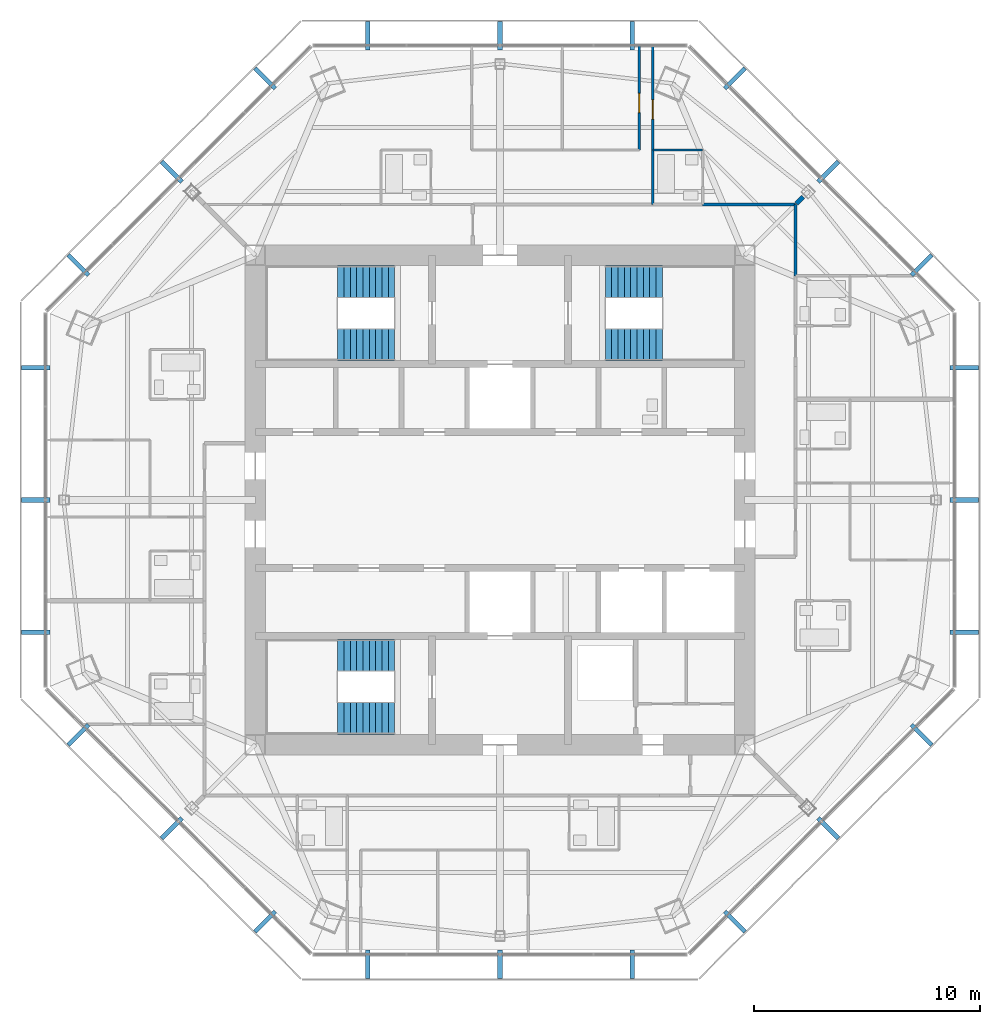
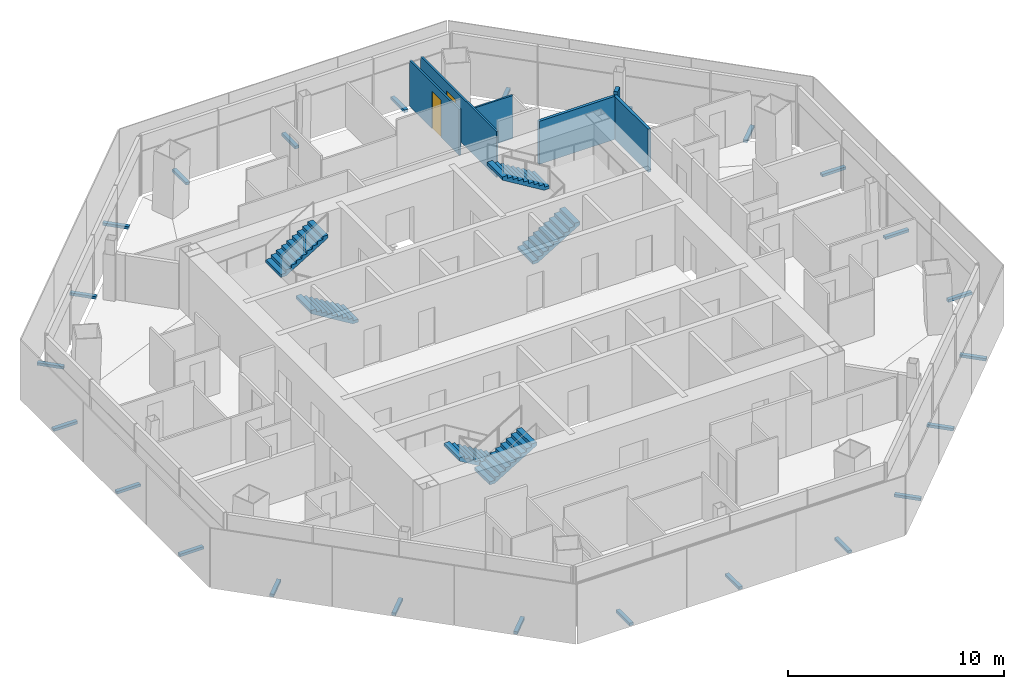
# One storey, part 13 of 15: 24 discrete accessories, 6 stair flights, 6 walls, 2 doors, 2 openings, 3 elements without a shape of their own.
"""IFC4 building model written with IfcOpenShell, lengths in metres."""

from ifc_helpers import new_model, si_unit, direction, frame, frame_2d, origin, origin_2d, place, context, subcontext, project, spatial, polyline, rectangle, outline, extrude, source, transform, mapped, material, layer, layer_set, type_object, type_shapes, element, fill, aggregate, save


model = new_model("IFC4")

# Units and contexts
model_context = context("Model", 3, precision=1e-05, world=origin(), true_north=direction((0.0, 1.0)))
body_context = subcontext(model_context, "Body", "Model", "MODEL_VIEW")
ifc_project = project(units=[si_unit("LENGTHUNIT", "METRE"), si_unit("AREAUNIT", "SQUARE_METRE"), si_unit("VOLUMEUNIT", "CUBIC_METRE"), si_unit("PLANEANGLEUNIT", "RADIAN"), si_unit("MASSUNIT", "GRAM", prefix="KILO")], contexts=[model_context])

# Site, building, storey
site_placement = place(None, origin())
site = spatial("IfcSite", under=ifc_project, at=site_placement, CompositionType="ELEMENT")
building_placement = place(site_placement, origin())
building = spatial("IfcBuilding", under=site, at=building_placement, Name="Mashrafa Tower", CompositionType="ELEMENT")
storey_placement = place(building_placement, frame((0.0, 0.0, 281.0)))
storey = spatial("IfcBuildingStorey", under=building, at=storey_placement, Name="L68", CompositionType="ELEMENT", Elevation=281.0)

# Walls
ifc_material_1 = material(Name="Gypsum board on steel studs", Category="steel")
ifc_layer_1 = layer(ifc_material_1, 0.199951171875)
ifc_layer_set_1 = layer_set([ifc_layer_1], Name="Acoustic partition 200 1 hr")
wall_type_1 = type_object("IfcWallType", Name="Acoustic partition 200 1 hr", PredefinedType="PARTITIONING", material=ifc_layer_set_1)
wall_1_placement = place(storey_placement, frame((13.382080078125, 13.382080078125, 0.0), z_axis=(0.0, 0.0, 1.0), x_axis=(-0.707106781187, -0.707106781187, 0.0)))
element("IfcWall", 1, at=wall_1_placement, inside=storey, type_object=wall_type_1, Name="Acoustic wall L68-050", PredefinedType="PARTITIONING", context=body_context, shape_type="SweptSolid", body=[
    extrude(rectangle(XDim=0.416748046875, YDim=0.199951171875, at=frame_2d((0.20849609375, 0.0))), origin(), (0.0, 0.0, 1.0), 2.590576171875),
])
ifc_material_2 = material(Name="Gypsum board on steel studs", Category="steel")
ifc_layer_2 = layer(ifc_material_2, 0.14990234375)
ifc_layer_set_2 = layer_set([ifc_layer_2], Name="Corridor partition 150 1 hr")
wall_type_2 = type_object("IfcWallType", Name="Corridor partition 150 1 hr", PredefinedType="PARTITIONING", material=ifc_layer_set_2)
wall_2_placement = place(storey_placement, frame((13.050048828125, 9.89892578125, 0.0), z_axis=(0.0, 0.0, 1.0), x_axis=(0.0, 1.0, 0.0)))
element("IfcWall", 2, at=wall_2_placement, inside=storey, type_object=wall_type_2, Name="Corridor wall L68-005", PredefinedType="PARTITIONING", context=body_context, shape_type="SweptSolid", body=[
    extrude(rectangle(XDim=3.151123046875, YDim=0.14990234375, at=frame_2d((1.57568359375, 0.0))), origin(), (0.0, 0.0, 1.0), 2.427978515625),
])
wall_3_placement = place(storey_placement, frame((13.050048828125, 13.050048828125, 0.0), z_axis=(0.0, 0.0, 1.0), x_axis=(-1.0, 0.0, 0.0)))
element("IfcWall", 3, at=wall_3_placement, inside=storey, type_object=wall_type_2, Name="Corridor wall L68-010", PredefinedType="PARTITIONING", context=body_context, shape_type="SweptSolid", body=[
    extrude(rectangle(XDim=4.10107421875, YDim=0.14990234375, at=frame_2d((2.050537109375, 0.0))), origin(), (0.0, 0.0, 1.0), 2.427978515625),
])

# Wall, opening, door
ifc_material_3 = material(Name="Gypsum board on steel studs", Category="steel")
ifc_layer_3 = layer(ifc_material_3, 0.10009765625)
ifc_layer_set_3 = layer_set([ifc_layer_3], Name="Partition 100")
wall_type_3 = type_object("IfcWallType", Name="Partition 100", PredefinedType="PARTITIONING", material=ifc_layer_set_3)
wall_4_placement = place(storey_placement, frame((6.14990234375, 15.449951171875, 0.0), z_axis=(0.0, 0.0, 1.0), x_axis=(0.0, 1.0, 0.0)))
wall_4 = element("IfcWall", 4, at=wall_4_placement, inside=storey, type_object=wall_type_3, Name="Partition wall L68-030", PredefinedType="PARTITIONING", context=body_context, shape_type="SweptSolid", body=[
    extrude(rectangle(XDim=4.599609375, YDim=0.10009765625, at=frame_2d((2.2998046875, 0.0))), origin(), (0.0, 0.0, 1.0), 2.590576171875),
])
opening_1_placement = place(wall_4_placement, frame((1.65771484375, 0.0, 0.0)))
opening_1 = element("IfcOpeningElement", 5, at=opening_1_placement, cuts=wall_4, Name="Opening 68.001", PredefinedType="OPENING", context=body_context, shape_type="SweptSolid", body=[
    extrude(rectangle(XDim=0.85009765625, YDim=2.10009765625, at=frame_2d((0.425048828125, 1.050048828125))), frame((0.0, 0.06005859375, 0.0), z_axis=(0.0, -1.0, 0.0), x_axis=(1.0, 0.0, 0.0)), (0.0, 0.0, 1.0), 0.1201171875),
])
ifc_material_4 = material(Name="Timber door", Category="wood")
door_type = type_object("IfcDoorType", Name="Bedroom door 850 x 2100", OperationType="USERDEFINED", PredefinedType="DOOR", material=ifc_material_4)
door_1_placement = place(opening_1_placement, origin())
door_1 = element("IfcDoor", 6, at=door_1_placement, inside=storey, type_object=door_type, Name="Apartment 6803 Dining Room door", OperationType="SINGLE_SWING_LEFT", OverallHeight=2.10009765625, OverallWidth=0.85009765625, PredefinedType="DOOR", context=body_context, shape_type="SweptSolid", body=[
    extrude(rectangle(XDim=0.85009765625, YDim=2.10009765625, at=frame_2d((0.425048828125, 1.050048828125))), frame((0.0, 0.02490234375, 0.0), z_axis=(0.0, -1.0, 0.0), x_axis=(1.0, 0.0, 0.0)), (0.0, 0.0, 1.0), 0.050048828125),
])
fill(opening_1, door_1)

# Wall
wall_5_placement = place(storey_placement, frame((8.949951171875, 15.449951171875, 0.0), z_axis=(0.0, 0.0, 1.0), x_axis=(-1.0, 0.0, 0.0)))
element("IfcWall", 7, at=wall_5_placement, inside=storey, type_object=wall_type_3, Name="Partition wall L68-061", PredefinedType="PARTITIONING", context=body_context, shape_type="SweptSolid", body=[
    extrude(rectangle(XDim=2.199951171875, YDim=0.10009765625, at=frame_2d((1.10009765625, 0.0))), origin(), (0.0, 0.0, 1.0), 2.427978515625),
])

# Wall, opening, door
wall_6_placement = place(storey_placement, frame((6.75, 13.050048828125, 0.0), z_axis=(0.0, 0.0, 1.0), x_axis=(0.0, 1.0, 0.0)))
wall_6 = element("IfcWall", 8, at=wall_6_placement, inside=storey, type_object=wall_type_3, Name="Partition wall L68-062", PredefinedType="PARTITIONING", context=body_context, shape_type="SweptSolid", body=[
    extrude(rectangle(XDim=6.99951171875, YDim=0.10009765625, at=frame_2d((3.499755859375, 0.0))), origin(), (0.0, 0.0, 1.0), 2.590576171875),
])
opening_2_placement = place(wall_6_placement, frame((3.762939453125, 0.0, 0.0)))
opening_2 = element("IfcOpeningElement", 9, at=opening_2_placement, cuts=wall_6, Name="Opening 68.014", PredefinedType="OPENING", context=body_context, shape_type="SweptSolid", body=[
    extrude(rectangle(XDim=0.85009765625, YDim=2.10009765625, at=frame_2d((0.425048828125, 1.050048828125))), frame((0.0, 0.06005859375, 0.0), z_axis=(0.0, -1.0, 0.0), x_axis=(1.0, 0.0, 0.0)), (0.0, 0.0, 1.0), 0.1201171875),
])
door_2_placement = place(opening_2_placement, frame((0.85009765625, 0.0, 0.0), z_axis=(0.0, 0.0, 1.0), x_axis=(-1.0, 0.0, 0.0)))
door_2 = element("IfcDoor", 10, at=door_2_placement, inside=storey, type_object=door_type, Name="Apartment 6803 Bedroom 2 door", OperationType="SINGLE_SWING_RIGHT", OverallHeight=2.10009765625, OverallWidth=0.85009765625, PredefinedType="DOOR", context=body_context, shape_type="SweptSolid", body=[
    extrude(rectangle(XDim=0.85009765625, YDim=2.10009765625, at=frame_2d((0.425048828125, 1.050048828125))), frame((0.0, 0.02490234375, 0.0), z_axis=(0.0, -1.0, 0.0), x_axis=(1.0, 0.0, 0.0)), (0.0, 0.0, 1.0), 0.050048828125),
])
fill(opening_2, door_2)

# Stair, stair flights
ifc_material_5 = material(Name="Exit stair 1400")
stair_type = type_object("IfcStairType", Name="Exit stair 1400", PredefinedType="HALF_TURN_STAIR", material=ifc_material_5)
stair_1_placement = place(storey_placement, origin())
stair_1 = element("IfcStair", 11, at=stair_1_placement, inside=storey, type_object=stair_type, Name="Stair S1 L68", PredefinedType="HALF_TURN_STAIR")
ifc_material_6 = material(Name="Concrete C32/40", Category="concrete")
stair_flight_type = type_object("IfcStairFlightType", Name="Stair flight 1400", PredefinedType="STRAIGHT", material=ifc_material_6)
stair_flight_1_placement = place(storey_placement, frame((-4.64990234375, 6.85009765625, 0.0), z_axis=(0.0, 0.0, 1.0), x_axis=(-1.0, 0.0, 0.0)))
stair_flight_1 = element("IfcStairFlight", 12, at=stair_flight_1_placement, type_object=stair_flight_type, Name="S1 flight 1", NumberOfRisers=10, NumberOfTreads=9, PredefinedType="STRAIGHT", RiserHeight=0.17, TreadLength=0.28, context=body_context, shape_type="SweptSolid", body=[
    extrude(outline(polyline([(0.0, 0.0), (0.0, 0.169921875), (0.280029296875, 0.169921875), (0.280029296875, 0.340087890625), (0.56005859375, 0.340087890625), (0.56005859375, 0.510009765625), (0.840087890625, 0.510009765625), (0.840087890625, 0.679931640625), (1.1201171875, 0.679931640625), (1.1201171875, 0.85009765625), (1.39990234375, 0.85009765625), (1.39990234375, 1.02001953125), (1.679931640625, 1.02001953125), (1.679931640625, 1.18994140625), (1.9599609375, 1.18994140625), (1.9599609375, 1.360107421875), (2.239990234375, 1.360107421875), (2.239990234375, 1.530029296875), (2.52001953125, 1.530029296875), (2.52001953125, 1.699951171875), (2.52001953125, 1.354736328125), (0.288818359375, 0.0), (0.0, 0.0)])), frame((0.0, 0.699951171875, 0.0), z_axis=(0.0, -1.0, 0.0), x_axis=(1.0, 0.0, 0.0)), (0.0, 0.0, 1.0), 1.39990234375),
])
stair_flight_2_placement = place(storey_placement, frame((-7.169921875, 9.64990234375, 1.699951171875), z_axis=(0.0, 0.0, 1.0), x_axis=(1.0, 0.0, 0.0)))
stair_flight_2 = element("IfcStairFlight", 13, at=stair_flight_2_placement, type_object=stair_flight_type, Name="S1 flight 2", NumberOfRisers=10, NumberOfTreads=9, PredefinedType="STRAIGHT", RiserHeight=0.17, TreadLength=0.28, context=body_context, shape_type="SweptSolid", body=[
    extrude(outline(polyline([(0.0, 0.0), (0.0, 0.169921875), (0.280029296875, 0.169921875), (0.280029296875, 0.340087890625), (0.56005859375, 0.340087890625), (0.56005859375, 0.510009765625), (0.840087890625, 0.510009765625), (0.840087890625, 0.679931640625), (1.1201171875, 0.679931640625), (1.1201171875, 0.85009765625), (1.39990234375, 0.85009765625), (1.39990234375, 1.02001953125), (1.679931640625, 1.02001953125), (1.679931640625, 1.18994140625), (1.9599609375, 1.18994140625), (1.9599609375, 1.360107421875), (2.239990234375, 1.360107421875), (2.239990234375, 1.530029296875), (2.52001953125, 1.530029296875), (2.52001953125, 1.699951171875), (2.52001953125, 1.354736328125), (0.288818359375, 0.0), (0.0, 0.0)])), frame((0.0, 0.699951171875, 0.0), z_axis=(0.0, -1.0, 0.0), x_axis=(1.0, 0.0, 0.0)), (0.0, 0.0, 1.0), 1.39990234375),
])
aggregate(stair_1, [stair_flight_1, stair_flight_2])

stair_2_placement = place(storey_placement, origin())
stair_2 = element("IfcStair", 14, at=stair_2_placement, inside=storey, type_object=stair_type, Name="Stair S2 L68", PredefinedType="HALF_TURN_STAIR")
stair_flight_3_placement = place(storey_placement, frame((4.64990234375, 6.85009765625, 0.0), z_axis=(0.0, 0.0, 1.0), x_axis=(1.0, 0.0, 0.0)))
stair_flight_3 = element("IfcStairFlight", 15, at=stair_flight_3_placement, type_object=stair_flight_type, Name="S2 flight 1", NumberOfRisers=10, NumberOfTreads=9, PredefinedType="STRAIGHT", RiserHeight=0.17, TreadLength=0.28, context=body_context, shape_type="SweptSolid", body=[
    extrude(outline(polyline([(0.0, 0.0), (0.0, 0.169921875), (0.280029296875, 0.169921875), (0.280029296875, 0.340087890625), (0.56005859375, 0.340087890625), (0.56005859375, 0.510009765625), (0.840087890625, 0.510009765625), (0.840087890625, 0.679931640625), (1.1201171875, 0.679931640625), (1.1201171875, 0.85009765625), (1.39990234375, 0.85009765625), (1.39990234375, 1.02001953125), (1.679931640625, 1.02001953125), (1.679931640625, 1.18994140625), (1.9599609375, 1.18994140625), (1.9599609375, 1.360107421875), (2.239990234375, 1.360107421875), (2.239990234375, 1.530029296875), (2.52001953125, 1.530029296875), (2.52001953125, 1.699951171875), (2.52001953125, 1.354736328125), (0.288818359375, 0.0), (0.0, 0.0)])), frame((0.0, 0.699951171875, 0.0), z_axis=(0.0, -1.0, 0.0), x_axis=(1.0, 0.0, 0.0)), (0.0, 0.0, 1.0), 1.39990234375),
])
stair_flight_4_placement = place(storey_placement, frame((7.169921875, 9.64990234375, 1.699951171875), z_axis=(0.0, 0.0, 1.0), x_axis=(-1.0, 0.0, 0.0)))
stair_flight_4 = element("IfcStairFlight", 16, at=stair_flight_4_placement, type_object=stair_flight_type, Name="S2 flight 2", NumberOfRisers=10, NumberOfTreads=9, PredefinedType="STRAIGHT", RiserHeight=0.17, TreadLength=0.28, context=body_context, shape_type="SweptSolid", body=[
    extrude(outline(polyline([(0.0, 0.0), (0.0, 0.169921875), (0.280029296875, 0.169921875), (0.280029296875, 0.340087890625), (0.56005859375, 0.340087890625), (0.56005859375, 0.510009765625), (0.840087890625, 0.510009765625), (0.840087890625, 0.679931640625), (1.1201171875, 0.679931640625), (1.1201171875, 0.85009765625), (1.39990234375, 0.85009765625), (1.39990234375, 1.02001953125), (1.679931640625, 1.02001953125), (1.679931640625, 1.18994140625), (1.9599609375, 1.18994140625), (1.9599609375, 1.360107421875), (2.239990234375, 1.360107421875), (2.239990234375, 1.530029296875), (2.52001953125, 1.530029296875), (2.52001953125, 1.699951171875), (2.52001953125, 1.354736328125), (0.288818359375, 0.0), (0.0, 0.0)])), frame((0.0, 0.699951171875, 0.0), z_axis=(0.0, -1.0, 0.0), x_axis=(1.0, 0.0, 0.0)), (0.0, 0.0, 1.0), 1.39990234375),
])
aggregate(stair_2, [stair_flight_3, stair_flight_4])

stair_3_placement = place(storey_placement, origin())
stair_3 = element("IfcStair", 17, at=stair_3_placement, inside=storey, type_object=stair_type, Name="Stair S3 L68", PredefinedType="HALF_TURN_STAIR")
stair_flight_5_placement = place(storey_placement, frame((-4.64990234375, -6.85009765625, 0.0), z_axis=(0.0, 0.0, 1.0), x_axis=(-1.0, 0.0, 0.0)))
stair_flight_5 = element("IfcStairFlight", 18, at=stair_flight_5_placement, type_object=stair_flight_type, Name="S3 flight 1", NumberOfRisers=10, NumberOfTreads=9, PredefinedType="STRAIGHT", RiserHeight=0.17, TreadLength=0.28, context=body_context, shape_type="SweptSolid", body=[
    extrude(outline(polyline([(0.0, 0.0), (0.0, 0.169921875), (0.280029296875, 0.169921875), (0.280029296875, 0.340087890625), (0.56005859375, 0.340087890625), (0.56005859375, 0.510009765625), (0.840087890625, 0.510009765625), (0.840087890625, 0.679931640625), (1.1201171875, 0.679931640625), (1.1201171875, 0.85009765625), (1.39990234375, 0.85009765625), (1.39990234375, 1.02001953125), (1.679931640625, 1.02001953125), (1.679931640625, 1.18994140625), (1.9599609375, 1.18994140625), (1.9599609375, 1.360107421875), (2.239990234375, 1.360107421875), (2.239990234375, 1.530029296875), (2.52001953125, 1.530029296875), (2.52001953125, 1.699951171875), (2.52001953125, 1.354736328125), (0.288818359375, 0.0), (0.0, 0.0)])), frame((0.0, 0.699951171875, 0.0), z_axis=(0.0, -1.0, 0.0), x_axis=(1.0, 0.0, 0.0)), (0.0, 0.0, 1.0), 1.39990234375),
])
stair_flight_6_placement = place(storey_placement, frame((-7.169921875, -9.64990234375, 1.699951171875), z_axis=(0.0, 0.0, 1.0), x_axis=(1.0, 0.0, 0.0)))
stair_flight_6 = element("IfcStairFlight", 19, at=stair_flight_6_placement, type_object=stair_flight_type, Name="S3 flight 2", NumberOfRisers=10, NumberOfTreads=9, PredefinedType="STRAIGHT", RiserHeight=0.17, TreadLength=0.28, context=body_context, shape_type="SweptSolid", body=[
    extrude(outline(polyline([(0.0, 0.0), (0.0, 0.169921875), (0.280029296875, 0.169921875), (0.280029296875, 0.340087890625), (0.56005859375, 0.340087890625), (0.56005859375, 0.510009765625), (0.840087890625, 0.510009765625), (0.840087890625, 0.679931640625), (1.1201171875, 0.679931640625), (1.1201171875, 0.85009765625), (1.39990234375, 0.85009765625), (1.39990234375, 1.02001953125), (1.679931640625, 1.02001953125), (1.679931640625, 1.18994140625), (1.9599609375, 1.18994140625), (1.9599609375, 1.360107421875), (2.239990234375, 1.360107421875), (2.239990234375, 1.530029296875), (2.52001953125, 1.530029296875), (2.52001953125, 1.699951171875), (2.52001953125, 1.354736328125), (0.288818359375, 0.0), (0.0, 0.0)])), frame((0.0, 0.699951171875, 0.0), z_axis=(0.0, -1.0, 0.0), x_axis=(1.0, 0.0, 0.0)), (0.0, 0.0, 1.0), 1.39990234375),
])
aggregate(stair_3, [stair_flight_5, stair_flight_6])

# Discrete accessories
ifc_material_7 = material(Name="Stainless steel screen bracket", Category="steel")
discrete_accessory_type = type_object("IfcDiscreteAccessoryType", Name="Screen support bracket 200 x 150", PredefinedType="BRACKET", material=ifc_material_7)
shared_shape = source(origin(), body_context, "Body", "SweptSolid", [
    extrude(rectangle(XDim=0.199951171875, YDim=1.27001953125, at=origin_2d()), origin(), (0.0, 0.0, 1.0), 0.14990234375),
])
type_shapes(discrete_accessory_type, [shared_shape])
for number, where, z_axis, x_axis, name in (
    (20, (20.500732421875, -5.829833984375, -0.14990234375), (0.0, 0.0, 1.0), (0.0, 1.0, 0.0), "Screen support bracket L68 east 1"),
    (21, (20.500732421875, 0.0, -0.14990234375), (0.0, 0.0, 1.0), (0.0, 1.0, 0.0), "Screen support bracket L68 east 2"),
    (22, (20.500732421875, 5.829833984375, -0.14990234375), (0.0, 0.0, 1.0), (0.0, 1.0, 0.0), "Screen support bracket L68 east 3"),
    (23, (18.618408203125, 10.373779296875, -0.14990234375), (0.0, 0.0, 1.0), (-0.707106781187, 0.707106781187, 0.0), "Screen support bracket L68 north-east 1"),
    (24, (14.49609375, 14.49609375, -0.14990234375), (0.0, 0.0, 1.0), (-0.707106781187, 0.707106781187, 0.0), "Screen support bracket L68 north-east 2"),
    (25, (10.373779296875, 18.618408203125, -0.14990234375), (0.0, 0.0, 1.0), (-0.707106781187, 0.707106781187, 0.0), "Screen support bracket L68 north-east 3"),
    (26, (5.829833984375, 20.500732421875, -0.14990234375), (0.0, 0.0, 1.0), (-1.0, 0.0, 0.0), "Screen support bracket L68 north 1"),
    (27, (0.0, 20.500732421875, -0.14990234375), (0.0, 0.0, 1.0), (-1.0, 0.0, 0.0), "Screen support bracket L68 north 2"),
    (28, (-5.829833984375, 20.500732421875, -0.14990234375), (0.0, 0.0, 1.0), (-1.0, 0.0, 0.0), "Screen support bracket L68 north 3"),
    (29, (-10.373779296875, 18.618408203125, -0.14990234375), (0.0, 0.0, 1.0), (-0.707106781187, -0.707106781187, 0.0), "Screen support bracket L68 north-west 1"),
    (30, (-14.49609375, 14.49609375, -0.14990234375), (0.0, 0.0, 1.0), (-0.707106781187, -0.707106781187, 0.0), "Screen support bracket L68 north-west 2"),
    (31, (-18.618408203125, 10.373779296875, -0.14990234375), (0.0, 0.0, 1.0), (-0.707106781187, -0.707106781187, 0.0), "Screen support bracket L68 north-west 3"),
    (32, (-20.500732421875, 5.829833984375, -0.14990234375), (0.0, 0.0, 1.0), (0.0, -1.0, 0.0), "Screen support bracket L68 west 1"),
    (33, (-20.500732421875, 0.0, -0.14990234375), (0.0, 0.0, 1.0), (0.0, -1.0, 0.0), "Screen support bracket L68 west 2"),
    (34, (-20.500732421875, -5.829833984375, -0.14990234375), (0.0, 0.0, 1.0), (0.0, -1.0, 0.0), "Screen support bracket L68 west 3"),
    (35, (-18.618408203125, -10.373779296875, -0.14990234375), (0.0, 0.0, 1.0), (0.707106781187, -0.707106781187, 0.0), "Screen support bracket L68 south-west 1"),
    (36, (-14.49609375, -14.49609375, -0.14990234375), (0.0, 0.0, 1.0), (0.707106781187, -0.707106781187, 0.0), "Screen support bracket L68 south-west 2"),
    (37, (-10.373779296875, -18.618408203125, -0.14990234375), (0.0, 0.0, 1.0), (0.707106781187, -0.707106781187, 0.0), "Screen support bracket L68 south-west 3"),
    (38, (-5.829833984375, -20.500732421875, -0.14990234375), (0.0, 0.0, 1.0), (1.0, 0.0, 0.0), "Screen support bracket L68 south 1"),
    (39, (0.0, -20.500732421875, -0.14990234375), (0.0, 0.0, 1.0), (1.0, 0.0, 0.0), "Screen support bracket L68 south 2"),
    (40, (5.829833984375, -20.500732421875, -0.14990234375), (0.0, 0.0, 1.0), (1.0, 0.0, 0.0), "Screen support bracket L68 south 3"),
    (41, (10.373779296875, -18.618408203125, -0.14990234375), (0.0, 0.0, 1.0), (0.707106781187, 0.707106781187, 0.0), "Screen support bracket L68 south-east 1"),
    (42, (14.49609375, -14.49609375, -0.14990234375), (0.0, 0.0, 1.0), (0.707106781187, 0.707106781187, 0.0), "Screen support bracket L68 south-east 2"),
    (43, (18.618408203125, -10.373779296875, -0.14990234375), (0.0, 0.0, 1.0), (0.707106781187, 0.707106781187, 0.0), "Screen support bracket L68 south-east 3"),
):
    element("IfcDiscreteAccessory", number, at=place(storey_placement, frame(where, z_axis=z_axis, x_axis=x_axis)), inside=storey, type_object=discrete_accessory_type, Name=name, PredefinedType="BRACKET", context=body_context, shape_type="MappedRepresentation", body=[
        mapped(shared_shape, transform((0.0, 0.0, 0.0))),
    ])

save(model, "model.ifc")
